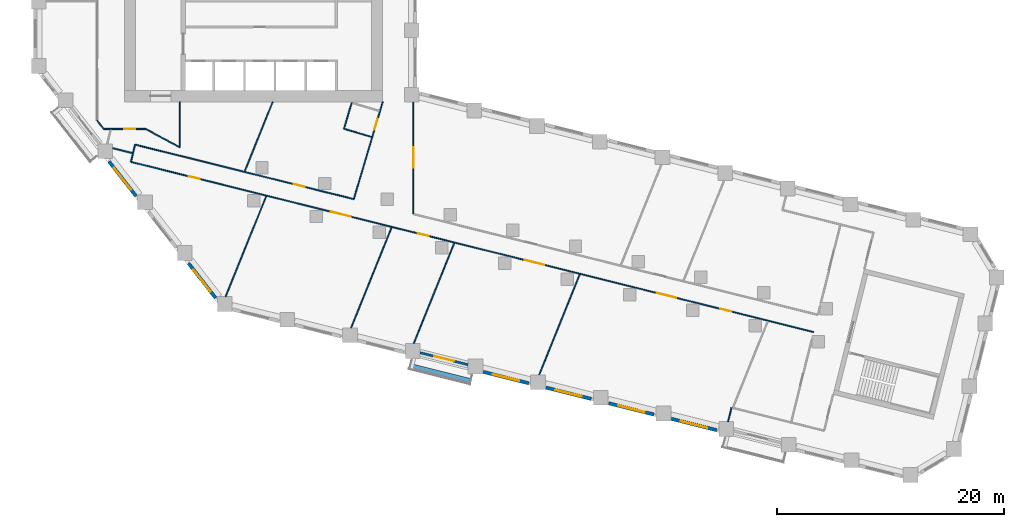
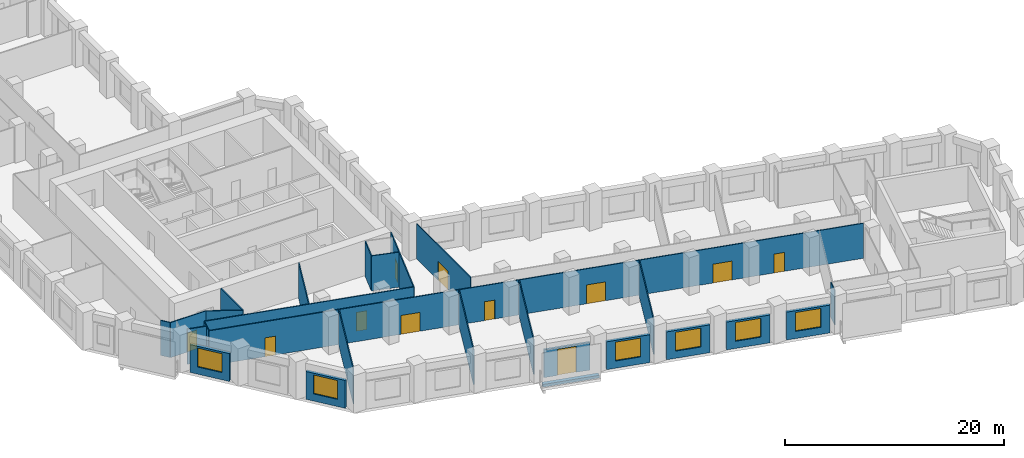
# One storey, part 3 of 10: 26 walls, 11 doors, 6 windows, 17 openings.
"""IFC4 building model written with IfcOpenShell, lengths in metres."""

from ifc_helpers import new_model, si_unit, direction, frame, frame_2d, origin, place, context, subcontext, project, spatial, rectangle, extrude, material, layer, layer_set, type_object, element, fill, save


model = new_model("IFC4")

# Units and contexts
model_context = context("Model", 3, precision=1e-05, world=origin(), true_north=direction((0.0, 1.0)))
body_context = subcontext(model_context, "Body", "Model", "MODEL_VIEW")
ifc_project = project(units=[si_unit("LENGTHUNIT", "METRE"), si_unit("AREAUNIT", "SQUARE_METRE"), si_unit("VOLUMEUNIT", "CUBIC_METRE"), si_unit("PLANEANGLEUNIT", "RADIAN"), si_unit("MASSUNIT", "GRAM", prefix="KILO")], contexts=[model_context])

# Site, building, storey
site_placement = place(None, origin())
site = spatial("IfcSite", under=ifc_project, at=site_placement, CompositionType="ELEMENT")
building_placement = place(site_placement, origin())
building = spatial("IfcBuilding", under=site, at=building_placement, Name="Meshkara Civic Tower", CompositionType="ELEMENT")
storey_placement = place(building_placement, frame((0.0, 0.0, 126.60009765625)))
storey = spatial("IfcBuildingStorey", under=building, at=storey_placement, Name="L28", CompositionType="ELEMENT", Elevation=126.60009765625)

# Wall
ifc_material_1 = material(Name="Corridor wall 100")
ifc_layer_1 = layer(ifc_material_1, 0.10009765625)
ifc_layer_set_1 = layer_set([ifc_layer_1], Name="Corridor wall 100")
wall_type_1 = type_object("IfcWallType", Name="Corridor wall 100", PredefinedType="PARTITIONING", material=ifc_layer_set_1)
wall_1_placement = place(storey_placement, frame((5.60009765625, 12.449951171875, 0.0), z_axis=(0.0, 0.0, 1.0), x_axis=(0.615644041972, -0.788024373725, 0.0)))
element("IfcWall", 1, at=wall_1_placement, inside=storey, type_object=wall_type_1, Name="L28-W004", PredefinedType="PARTITIONING", context=body_context, shape_type="SweptSolid", body=[
    extrude(rectangle(XDim=0.95166015625, YDim=0.10009765625, at=frame_2d((0.475830078125, 0.0))), origin(), (0.0, 0.0, 1.0), 3.89990234375),
])

# Wall, opening, door
wall_2_placement = place(storey_placement, frame((6.18603515625, 11.699951171875, 0.0), z_axis=(0.0, 0.0, 1.0), x_axis=(1.0, 0.0, 0.0)))
wall_2 = element("IfcWall", 2, at=wall_2_placement, inside=storey, type_object=wall_type_1, Name="L28-W006", PredefinedType="PARTITIONING", context=body_context, shape_type="SweptSolid", body=[
    extrude(rectangle(XDim=3.7138671875, YDim=0.10009765625, at=frame_2d((1.85693359375, 0.0))), origin(), (0.0, 0.0, 1.0), 3.89990234375),
])
opening_1_placement = place(wall_2_placement, frame((1.791015625, 0.0, 0.0)))
opening_1 = element("IfcOpeningElement", 3, at=opening_1_placement, cuts=wall_2, Name="Opening L28-D012", PredefinedType="OPENING", context=body_context, shape_type="SweptSolid", body=[
    extrude(rectangle(XDim=1.0, YDim=2.10009765625, at=frame_2d((0.5, 1.050048828125))), frame((0.0, 0.06005859375, 0.0), z_axis=(0.0, -1.0, 0.0), x_axis=(1.0, 0.0, 0.0)), (0.0, 0.0, 1.0), 0.1201171875),
])
ifc_material_2 = material(Name="Door 1000 x 2100")
door_type_1 = type_object("IfcDoorType", Name="Door 1000 x 2100", OperationType="SINGLE_SWING_LEFT", PredefinedType="DOOR", material=ifc_material_2)
door_1_placement = place(opening_1_placement, origin())
door_1 = element("IfcDoor", 4, at=door_1_placement, inside=storey, type_object=door_type_1, Name="L28-D012", OperationType="SINGLE_SWING_LEFT", OverallHeight=2.10009765625, OverallWidth=1.0, PredefinedType="DOOR", context=body_context, shape_type="SweptSolid", body=[
    extrude(rectangle(XDim=1.0, YDim=2.10009765625, at=frame_2d((0.5, 1.050048828125))), frame((0.0, 0.02490234375, 0.0), z_axis=(0.0, -1.0, 0.0), x_axis=(1.0, 0.0, 0.0)), (0.0, 0.0, 1.0), 0.050048828125),
])
fill(opening_1, door_1)

# Wall, openings, doors
wall_3_placement = place(storey_placement, frame((8.5791015625, 8.802978515625, 0.0), z_axis=(0.0, 0.0, 1.0), x_axis=(0.970297306393, -0.241915558008, 0.0)))
wall_3 = element("IfcWall", 5, at=wall_3_placement, inside=storey, type_object=wall_type_1, Name="L28-W008", PredefinedType="PARTITIONING", context=body_context, shape_type="SweptSolid", body=[
    extrude(rectangle(XDim=62.07568359375, YDim=0.10009765625, at=frame_2d((31.037841796875, 0.0))), origin(), (0.0, 0.0, 1.0), 3.89990234375),
])
opening_2_placement = place(wall_3_placement, frame((35.799072265625, 0.0, 0.0)))
opening_2 = element("IfcOpeningElement", 6, at=opening_2_placement, cuts=wall_3, Name="Opening L28-D003", PredefinedType="OPENING", context=body_context, shape_type="SweptSolid", body=[
    extrude(rectangle(XDim=1.800048828125, YDim=2.10009765625, at=frame_2d((0.89990234375, 1.050048828125))), frame((0.0, 0.06005859375, 0.0), z_axis=(0.0, -1.0, 0.0), x_axis=(1.0, 0.0, 0.0)), (0.0, 0.0, 1.0), 0.1201171875),
])
opening_3_placement = place(wall_3_placement, frame((47.799072265625, 0.0, 0.0)))
opening_3 = element("IfcOpeningElement", 7, at=opening_3_placement, cuts=wall_3, Name="Opening L28-D005", PredefinedType="OPENING", context=body_context, shape_type="SweptSolid", body=[
    extrude(rectangle(XDim=1.800048828125, YDim=2.10009765625, at=frame_2d((0.89990234375, 1.050048828125))), frame((0.0, 0.06005859375, 0.0), z_axis=(0.0, -1.0, 0.0), x_axis=(1.0, 0.0, 0.0)), (0.0, 0.0, 1.0), 0.1201171875),
])
opening_4_placement = place(wall_3_placement, frame((53.59912109375, 0.0, 0.0)))
opening_4 = element("IfcOpeningElement", 8, at=opening_4_placement, cuts=wall_3, Name="Opening L28-D006", PredefinedType="OPENING", context=body_context, shape_type="SweptSolid", body=[
    extrude(rectangle(XDim=1.0, YDim=2.10009765625, at=frame_2d((0.5, 1.050048828125))), frame((0.0, 0.06005859375, 0.0), z_axis=(0.0, -1.0, 0.0), x_axis=(1.0, 0.0, 0.0)), (0.0, 0.0, 1.0), 0.1201171875),
])
opening_5_placement = place(wall_3_placement, frame((18.199951171875, 0.0, 0.0)))
opening_5 = element("IfcOpeningElement", 9, at=opening_5_placement, cuts=wall_3, Name="Opening L28-D007", PredefinedType="OPENING", context=body_context, shape_type="SweptSolid", body=[
    extrude(rectangle(XDim=1.800048828125, YDim=2.10009765625, at=frame_2d((0.89990234375, 1.050048828125))), frame((0.0, 0.06005859375, 0.0), z_axis=(0.0, -1.0, 0.0), x_axis=(1.0, 0.0, 0.0)), (0.0, 0.0, 1.0), 0.1201171875),
])
opening_6_placement = place(wall_3_placement, frame((26.09912109375, 0.0, 0.0)))
opening_6 = element("IfcOpeningElement", 10, at=opening_6_placement, cuts=wall_3, Name="Opening L28-D008", PredefinedType="OPENING", context=body_context, shape_type="SweptSolid", body=[
    extrude(rectangle(XDim=1.0, YDim=2.10009765625, at=frame_2d((0.5, 1.050048828125))), frame((0.0, 0.06005859375, 0.0), z_axis=(0.0, -1.0, 0.0), x_axis=(1.0, 0.0, 0.0)), (0.0, 0.0, 1.0), 0.1201171875),
])
opening_7_placement = place(wall_3_placement, frame((5.280029296875, 0.0, 0.0)))
opening_7 = element("IfcOpeningElement", 11, at=opening_7_placement, cuts=wall_3, Name="Opening L28-D013", PredefinedType="OPENING", context=body_context, shape_type="SweptSolid", body=[
    extrude(rectangle(XDim=1.0, YDim=2.10009765625, at=frame_2d((0.5, 1.050048828125))), frame((0.0, 0.06005859375, 0.0), z_axis=(0.0, -1.0, 0.0), x_axis=(1.0, 0.0, 0.0)), (0.0, 0.0, 1.0), 0.1201171875),
])
door_2_placement = place(opening_4_placement, origin())
door_2 = element("IfcDoor", 12, at=door_2_placement, inside=storey, type_object=door_type_1, Name="L28-D006", OperationType="SINGLE_SWING_LEFT", OverallHeight=2.10009765625, OverallWidth=1.0, PredefinedType="DOOR", context=body_context, shape_type="SweptSolid", body=[
    extrude(rectangle(XDim=1.0, YDim=2.10009765625, at=frame_2d((0.5, 1.050048828125))), frame((0.0, 0.02490234375, 0.0), z_axis=(0.0, -1.0, 0.0), x_axis=(1.0, 0.0, 0.0)), (0.0, 0.0, 1.0), 0.050048828125),
])
fill(opening_4, door_2)
door_3_placement = place(opening_6_placement, origin())
door_3 = element("IfcDoor", 13, at=door_3_placement, inside=storey, type_object=door_type_1, Name="L28-D008", OperationType="SINGLE_SWING_LEFT", OverallHeight=2.10009765625, OverallWidth=1.0, PredefinedType="DOOR", context=body_context, shape_type="SweptSolid", body=[
    extrude(rectangle(XDim=1.0, YDim=2.10009765625, at=frame_2d((0.5, 1.050048828125))), frame((0.0, 0.02490234375, 0.0), z_axis=(0.0, -1.0, 0.0), x_axis=(1.0, 0.0, 0.0)), (0.0, 0.0, 1.0), 0.050048828125),
])
fill(opening_6, door_3)
door_4_placement = place(opening_7_placement, origin())
door_4 = element("IfcDoor", 14, at=door_4_placement, inside=storey, type_object=door_type_1, Name="L28-D013", OperationType="SINGLE_SWING_RIGHT", OverallHeight=2.10009765625, OverallWidth=1.0, PredefinedType="DOOR", context=body_context, shape_type="SweptSolid", body=[
    extrude(rectangle(XDim=1.0, YDim=2.10009765625, at=frame_2d((0.5, 1.050048828125))), frame((0.0, 0.02490234375, 0.0), z_axis=(0.0, -1.0, 0.0), x_axis=(1.0, 0.0, 0.0)), (0.0, 0.0, 1.0), 0.050048828125),
])
fill(opening_7, door_4)
ifc_material_3 = material(Name="Door pair 1800 x 2100")
door_type_2 = type_object("IfcDoorType", Name="Door pair 1800 x 2100", OperationType="SINGLE_SWING_LEFT", PredefinedType="DOOR", material=ifc_material_3)
door_5_placement = place(opening_2_placement, origin())
door_5 = element("IfcDoor", 15, at=door_5_placement, inside=storey, type_object=door_type_2, Name="L28-D003", OperationType="DOUBLE_DOOR_SINGLE_SWING", OverallHeight=2.10009765625, OverallWidth=1.800048828125, PredefinedType="DOOR", context=body_context, shape_type="SweptSolid", body=[
    extrude(rectangle(XDim=1.800048828125, YDim=2.10009765625, at=frame_2d((0.89990234375, 1.050048828125))), frame((0.0, 0.02490234375, 0.0), z_axis=(0.0, -1.0, 0.0), x_axis=(1.0, 0.0, 0.0)), (0.0, 0.0, 1.0), 0.050048828125),
])
fill(opening_2, door_5)
door_6_placement = place(opening_3_placement, origin())
door_6 = element("IfcDoor", 16, at=door_6_placement, inside=storey, type_object=door_type_2, Name="L28-D005", OperationType="DOUBLE_DOOR_SINGLE_SWING", OverallHeight=2.10009765625, OverallWidth=1.800048828125, PredefinedType="DOOR", context=body_context, shape_type="SweptSolid", body=[
    extrude(rectangle(XDim=1.800048828125, YDim=2.10009765625, at=frame_2d((0.89990234375, 1.050048828125))), frame((0.0, 0.02490234375, 0.0), z_axis=(0.0, -1.0, 0.0), x_axis=(1.0, 0.0, 0.0)), (0.0, 0.0, 1.0), 0.050048828125),
])
fill(opening_3, door_6)
door_7_placement = place(opening_5_placement, origin())
door_7 = element("IfcDoor", 17, at=door_7_placement, inside=storey, type_object=door_type_2, Name="L28-D007", OperationType="DOUBLE_DOOR_SINGLE_SWING", OverallHeight=2.10009765625, OverallWidth=1.800048828125, PredefinedType="DOOR", context=body_context, shape_type="SweptSolid", body=[
    extrude(rectangle(XDim=1.800048828125, YDim=2.10009765625, at=frame_2d((0.89990234375, 1.050048828125))), frame((0.0, 0.02490234375, 0.0), z_axis=(0.0, -1.0, 0.0), x_axis=(1.0, 0.0, 0.0)), (0.0, 0.0, 1.0), 0.050048828125),
])
fill(opening_5, door_7)

# Wall, opening, door
wall_4_placement = place(storey_placement, frame((8.9580078125, 10.322998046875, 0.0), z_axis=(0.0, 0.0, 1.0), x_axis=(0.970298340477, -0.241911410372, 0.0)))
wall_4 = element("IfcWall", 18, at=wall_4_placement, inside=storey, type_object=wall_type_1, Name="L28-W009", PredefinedType="PARTITIONING", context=body_context, shape_type="SweptSolid", body=[
    extrude(rectangle(XDim=19.879638671875, YDim=0.10009765625, at=frame_2d((9.93994140625, 0.0))), origin(), (0.0, 0.0, 1.0), 3.89990234375),
])
opening_8_placement = place(wall_4_placement, frame((14.4169921875, 0.0, 0.0)))
opening_8 = element("IfcOpeningElement", 19, at=opening_8_placement, cuts=wall_4, Name="Opening L28-D014", PredefinedType="OPENING", context=body_context, shape_type="SweptSolid", body=[
    extrude(rectangle(XDim=1.0, YDim=2.10009765625, at=frame_2d((0.5, 1.050048828125))), frame((0.0, 0.06005859375, 0.0), z_axis=(0.0, -1.0, 0.0), x_axis=(1.0, 0.0, 0.0)), (0.0, 0.0, 1.0), 0.1201171875),
])
door_8_placement = place(opening_8_placement, origin())
door_8 = element("IfcDoor", 20, at=door_8_placement, inside=storey, type_object=door_type_1, Name="L28-D014", OperationType="SINGLE_SWING_RIGHT", OverallHeight=2.10009765625, OverallWidth=1.0, PredefinedType="DOOR", context=body_context, shape_type="SweptSolid", body=[
    extrude(rectangle(XDim=1.0, YDim=2.10009765625, at=frame_2d((0.5, 1.050048828125))), frame((0.0, 0.02490234375, 0.0), z_axis=(0.0, -1.0, 0.0), x_axis=(1.0, 0.0, 0.0)), (0.0, 0.0, 1.0), 0.050048828125),
])
fill(opening_8, door_8)

# Walls
wall_5_placement = place(storey_placement, frame((8.9580078125, 10.322998046875, 0.0), z_axis=(0.0, 0.0, 1.0), x_axis=(-0.241875508386, -0.97030729073, 0.0)))
element("IfcWall", 21, at=wall_5_placement, inside=storey, type_object=wall_type_1, Name="L28-W010", PredefinedType="PARTITIONING", context=body_context, shape_type="SweptSolid", body=[
    extrude(rectangle(XDim=1.566650390625, YDim=0.10009765625, at=frame_2d((0.783203125, 0.0))), origin(), (0.0, 0.0, 1.0), 3.89990234375),
])
wall_6_placement = place(storey_placement, frame((9.89990234375, 11.699951171875, 0.0), z_axis=(0.0, 0.0, 1.0), x_axis=(0.87965147249, -0.475618846291, 0.0)))
element("IfcWall", 22, at=wall_6_placement, inside=storey, type_object=wall_type_1, Name="L28-W011", PredefinedType="PARTITIONING", context=body_context, shape_type="SweptSolid", body=[
    extrude(rectangle(XDim=3.410400390625, YDim=0.10009765625, at=frame_2d((1.705078125, 0.0))), origin(), (0.0, 0.0, 1.0), 3.89990234375),
])
wall_7_placement = place(storey_placement, frame((12.89990234375, 10.077880859375, 0.0), z_axis=(0.0, 0.0, 1.0), x_axis=(0.0, 1.0, 0.0)))
element("IfcWall", 23, at=wall_7_placement, inside=storey, type_object=wall_type_1, Name="L28-W016", PredefinedType="PARTITIONING", context=body_context, shape_type="SweptSolid", body=[
    extrude(rectangle(XDim=4.022216796875, YDim=0.10009765625, at=frame_2d((2.01123046875, 0.0))), origin(), (0.0, 0.0, 1.0), 3.89990234375),
])

# Wall, opening, door
wall_8_placement = place(storey_placement, frame((28.2470703125, 5.513916015625, 0.0), z_axis=(0.0, 0.0, 1.0), x_axis=(0.285004107837, 0.958526295162, 0.0)))
wall_8 = element("IfcWall", 24, at=wall_8_placement, inside=storey, type_object=wall_type_1, Name="L28-W020", PredefinedType="PARTITIONING", context=body_context, shape_type="SweptSolid", body=[
    extrude(rectangle(XDim=8.957763671875, YDim=0.10009765625, at=frame_2d((4.47900390625, 0.0))), origin(), (0.0, 0.0, 1.0), 3.89990234375),
])
opening_9_placement = place(wall_8_placement, frame((6.3798828125, 0.0, 0.0)))
opening_9 = element("IfcOpeningElement", 25, at=opening_9_placement, cuts=wall_8, Name="Opening L28-D017", PredefinedType="OPENING", context=body_context, shape_type="SweptSolid", body=[
    extrude(rectangle(XDim=1.0, YDim=2.10009765625, at=frame_2d((0.5, 1.050048828125))), frame((0.0, 0.06005859375, 0.0), z_axis=(0.0, -1.0, 0.0), x_axis=(1.0, 0.0, 0.0)), (0.0, 0.0, 1.0), 0.1201171875),
])
door_9_placement = place(opening_9_placement, origin())
door_9 = element("IfcDoor", 26, at=door_9_placement, inside=storey, type_object=door_type_1, Name="L28-D017", OperationType="SINGLE_SWING_LEFT", OverallHeight=2.10009765625, OverallWidth=1.0, PredefinedType="DOOR", context=body_context, shape_type="SweptSolid", body=[
    extrude(rectangle(XDim=1.0, YDim=2.10009765625, at=frame_2d((0.5, 1.050048828125))), frame((0.0, 0.02490234375, 0.0), z_axis=(0.0, -1.0, 0.0), x_axis=(1.0, 0.0, 0.0)), (0.0, 0.0, 1.0), 0.050048828125),
])
fill(opening_9, door_9)

wall_9_placement = place(storey_placement, frame((33.5, 4.2041015625, 0.0), z_axis=(0.0, 0.0, 1.0), x_axis=(0.0, 1.0, 0.0)))
wall_9 = element("IfcWall", 27, at=wall_9_placement, inside=storey, type_object=wall_type_1, Name="L28-W023", PredefinedType="PARTITIONING", context=body_context, shape_type="SweptSolid", body=[
    extrude(rectangle(XDim=9.864990234375, YDim=0.10009765625, at=frame_2d((4.9326171875, 0.0))), origin(), (0.0, 0.0, 1.0), 3.89990234375),
])
opening_10_placement = place(wall_9_placement, frame((4.080078125, 0.0, 0.0)))
opening_10 = element("IfcOpeningElement", 28, at=opening_10_placement, cuts=wall_9, Name="Opening L28-D015", PredefinedType="OPENING", context=body_context, shape_type="SweptSolid", body=[
    extrude(rectangle(XDim=1.800048828125, YDim=2.10009765625, at=frame_2d((0.89990234375, 1.050048828125))), frame((0.0, 0.06005859375, 0.0), z_axis=(0.0, -1.0, 0.0), x_axis=(1.0, 0.0, 0.0)), (0.0, 0.0, 1.0), 0.1201171875),
])
door_10_placement = place(opening_10_placement, origin())
door_10 = element("IfcDoor", 29, at=door_10_placement, inside=storey, type_object=door_type_2, Name="L28-D015", OperationType="DOUBLE_DOOR_SINGLE_SWING", OverallHeight=2.10009765625, OverallWidth=1.800048828125, PredefinedType="DOOR", context=body_context, shape_type="SweptSolid", body=[
    extrude(rectangle(XDim=1.800048828125, YDim=2.10009765625, at=frame_2d((0.89990234375, 1.050048828125))), frame((0.0, 0.02490234375, 0.0), z_axis=(0.0, -1.0, 0.0), x_axis=(1.0, 0.0, 0.0)), (0.0, 0.0, 1.0), 0.050048828125),
])
fill(opening_10, door_10)

# Wall, opening, window
ifc_material_4 = material(Name="Insulated infill panel with bronze anodised aluminium cladding", Category="aluminium")
ifc_layer_2 = layer(ifc_material_4, 0.300048828125)
ifc_layer_set_2 = layer_set([ifc_layer_2], Name="EXTERNAL INFILL WALL 300")
wall_type_2 = type_object("IfcWallType", Name="EXTERNAL INFILL WALL 300", PredefinedType="SOLIDWALL", material=ifc_layer_set_2)
wall_10_placement = place(storey_placement, frame((6.64892578125, 8.833984375, 0.0), z_axis=(0.0, 0.0, 1.0), x_axis=(0.615535257281, -0.788109349674, 0.0)))
wall_10 = element("IfcWall", 30, at=wall_10_placement, inside=storey, type_object=wall_type_2, Name="External wall", PredefinedType="SOLIDWALL", context=body_context, shape_type="SweptSolid", body=[
    extrude(rectangle(XDim=3.876220703125, YDim=0.300048828125, at=frame_2d((1.93798828125, 0.0))), origin(), (0.0, 0.0, 1.0), 3.099853515625),
])
opening_11_placement = place(wall_10_placement, frame((0.738037109375, 0.0, 0.800048828125)))
opening_11 = element("IfcOpeningElement", 31, at=opening_11_placement, cuts=wall_10, Name="Opening W7", PredefinedType="OPENING", context=body_context, shape_type="SweptSolid", body=[
    extrude(rectangle(XDim=2.39990234375, YDim=2.10009765625, at=frame_2d((1.199951171875, 1.050048828125))), frame((0.0, 0.159912109375, 0.0), z_axis=(0.0, -1.0, 0.0), x_axis=(1.0, 0.0, 0.0)), (0.0, 0.0, 1.0), 0.320068359375),
])
ifc_material_5 = material(Name="Tinted double glazing", Category="glass")
window_type = type_object("IfcWindowType", Name="WINDOW 2400x2100", PartitioningType="DOUBLE_PANEL_VERTICAL", PredefinedType="WINDOW", material=ifc_material_5)
window_1_placement = place(opening_11_placement, origin())
window_1 = element("IfcWindow", 32, at=window_1_placement, inside=storey, type_object=window_type, Name="Window", OverallHeight=2.10009765625, OverallWidth=2.39990234375, PartitioningType="DOUBLE_PANEL_VERTICAL", PredefinedType="WINDOW", context=body_context, shape_type="SweptSolid", body=[
    extrude(rectangle(XDim=2.39990234375, YDim=2.10009765625, at=frame_2d((1.199951171875, 1.050048828125))), frame((0.0, 0.030029296875, 0.0), z_axis=(0.0, -1.0, 0.0), x_axis=(1.0, 0.0, 0.0)), (0.0, 0.0, 1.0), 0.06005859375),
])
fill(opening_11, window_1)

wall_11_placement = place(storey_placement, frame((13.6669921875, -0.14990234375, 0.0), z_axis=(0.0, 0.0, 1.0), x_axis=(0.615626928003, -0.788037743714, 0.0)))
wall_11 = element("IfcWall", 33, at=wall_11_placement, inside=storey, type_object=wall_type_2, Name="External wall", PredefinedType="SOLIDWALL", context=body_context, shape_type="SweptSolid", body=[
    extrude(rectangle(XDim=3.875732421875, YDim=0.300048828125, at=frame_2d((1.93798828125, 0.0))), origin(), (0.0, 0.0, 1.0), 3.099853515625),
])
opening_12_placement = place(wall_11_placement, frame((0.738037109375, 0.0, 0.800048828125)))
opening_12 = element("IfcOpeningElement", 34, at=opening_12_placement, cuts=wall_11, Name="Opening W7", PredefinedType="OPENING", context=body_context, shape_type="SweptSolid", body=[
    extrude(rectangle(XDim=2.39990234375, YDim=2.10009765625, at=frame_2d((1.199951171875, 1.050048828125))), frame((0.0, 0.159912109375, 0.0), z_axis=(0.0, -1.0, 0.0), x_axis=(1.0, 0.0, 0.0)), (0.0, 0.0, 1.0), 0.320068359375),
])
window_2_placement = place(opening_12_placement, origin())
window_2 = element("IfcWindow", 35, at=window_2_placement, inside=storey, type_object=window_type, Name="Window", OverallHeight=2.10009765625, OverallWidth=2.39990234375, PartitioningType="DOUBLE_PANEL_VERTICAL", PredefinedType="WINDOW", context=body_context, shape_type="SweptSolid", body=[
    extrude(rectangle(XDim=2.39990234375, YDim=2.10009765625, at=frame_2d((1.199951171875, 1.050048828125))), frame((0.0, 0.030029296875, 0.0), z_axis=(0.0, -1.0, 0.0), x_axis=(1.0, 0.0, 0.0)), (0.0, 0.0, 1.0), 0.06005859375),
])
fill(opening_12, window_2)

wall_12_placement = place(storey_placement, frame((39.666015625, -9.735107421875, 0.0), z_axis=(0.0, 0.0, 1.0), x_axis=(0.97029551261, -0.241922752565, 0.0)))
wall_12 = element("IfcWall", 36, at=wall_12_placement, inside=storey, type_object=wall_type_2, Name="External wall", PredefinedType="SOLIDWALL", context=body_context, shape_type="SweptSolid", body=[
    extrude(rectangle(XDim=4.12451171875, YDim=0.300048828125, at=frame_2d((2.062255859375, 0.0))), origin(), (0.0, 0.0, 1.0), 3.099853515625),
])
opening_13_placement = place(wall_12_placement, frame((0.862060546875, 0.0, 0.800048828125)))
opening_13 = element("IfcOpeningElement", 37, at=opening_13_placement, cuts=wall_12, Name="Opening W7", PredefinedType="OPENING", context=body_context, shape_type="SweptSolid", body=[
    extrude(rectangle(XDim=2.39990234375, YDim=2.10009765625, at=frame_2d((1.199951171875, 1.050048828125))), frame((0.0, 0.159912109375, 0.0), z_axis=(0.0, -1.0, 0.0), x_axis=(1.0, 0.0, 0.0)), (0.0, 0.0, 1.0), 0.320068359375),
])
window_3_placement = place(opening_13_placement, origin())
window_3 = element("IfcWindow", 38, at=window_3_placement, inside=storey, type_object=window_type, Name="Window", OverallHeight=2.10009765625, OverallWidth=2.39990234375, PartitioningType="DOUBLE_PANEL_VERTICAL", PredefinedType="WINDOW", context=body_context, shape_type="SweptSolid", body=[
    extrude(rectangle(XDim=2.39990234375, YDim=2.10009765625, at=frame_2d((1.199951171875, 1.050048828125))), frame((0.0, 0.030029296875, 0.0), z_axis=(0.0, -1.0, 0.0), x_axis=(1.0, 0.0, 0.0)), (0.0, 0.0, 1.0), 0.06005859375),
])
fill(opening_13, window_3)

wall_13_placement = place(storey_placement, frame((45.197021484375, -11.114013671875, 0.0), z_axis=(0.0, 0.0, 1.0), x_axis=(0.970267747908, -0.242034083076, 0.0)))
wall_13 = element("IfcWall", 39, at=wall_13_placement, inside=storey, type_object=wall_type_2, Name="External wall", PredefinedType="SOLIDWALL", context=body_context, shape_type="SweptSolid", body=[
    extrude(rectangle(XDim=4.12353515625, YDim=0.300048828125, at=frame_2d((2.061767578125, 0.0))), origin(), (0.0, 0.0, 1.0), 3.099853515625),
])
opening_14_placement = place(wall_13_placement, frame((0.862060546875, 0.0, 0.800048828125)))
opening_14 = element("IfcOpeningElement", 40, at=opening_14_placement, cuts=wall_13, Name="Opening W7", PredefinedType="OPENING", context=body_context, shape_type="SweptSolid", body=[
    extrude(rectangle(XDim=2.39990234375, YDim=2.10009765625, at=frame_2d((1.199951171875, 1.050048828125))), frame((0.0, 0.159912109375, 0.0), z_axis=(0.0, -1.0, 0.0), x_axis=(1.0, 0.0, 0.0)), (0.0, 0.0, 1.0), 0.320068359375),
])
window_4_placement = place(opening_14_placement, origin())
window_4 = element("IfcWindow", 41, at=window_4_placement, inside=storey, type_object=window_type, Name="Window", OverallHeight=2.10009765625, OverallWidth=2.39990234375, PartitioningType="DOUBLE_PANEL_VERTICAL", PredefinedType="WINDOW", context=body_context, shape_type="SweptSolid", body=[
    extrude(rectangle(XDim=2.39990234375, YDim=2.10009765625, at=frame_2d((1.199951171875, 1.050048828125))), frame((0.0, 0.030029296875, 0.0), z_axis=(0.0, -1.0, 0.0), x_axis=(1.0, 0.0, 0.0)), (0.0, 0.0, 1.0), 0.06005859375),
])
fill(opening_14, window_4)

wall_14_placement = place(storey_placement, frame((50.72705078125, -12.492919921875, 0.0), z_axis=(0.0, 0.0, 1.0), x_axis=(0.970281616392, -0.241978480223, 0.0)))
wall_14 = element("IfcWall", 42, at=wall_14_placement, inside=storey, type_object=wall_type_2, Name="External wall", PredefinedType="SOLIDWALL", context=body_context, shape_type="SweptSolid", body=[
    extrude(rectangle(XDim=4.12451171875, YDim=0.300048828125, at=frame_2d((2.062255859375, 0.0))), origin(), (0.0, 0.0, 1.0), 3.099853515625),
])
opening_15_placement = place(wall_14_placement, frame((0.862060546875, 0.0, 0.800048828125)))
opening_15 = element("IfcOpeningElement", 43, at=opening_15_placement, cuts=wall_14, Name="Opening W7", PredefinedType="OPENING", context=body_context, shape_type="SweptSolid", body=[
    extrude(rectangle(XDim=2.39990234375, YDim=2.10009765625, at=frame_2d((1.199951171875, 1.050048828125))), frame((0.0, 0.159912109375, 0.0), z_axis=(0.0, -1.0, 0.0), x_axis=(1.0, 0.0, 0.0)), (0.0, 0.0, 1.0), 0.320068359375),
])
window_5_placement = place(opening_15_placement, origin())
window_5 = element("IfcWindow", 44, at=window_5_placement, inside=storey, type_object=window_type, Name="Window", OverallHeight=2.10009765625, OverallWidth=2.39990234375, PartitioningType="DOUBLE_PANEL_VERTICAL", PredefinedType="WINDOW", context=body_context, shape_type="SweptSolid", body=[
    extrude(rectangle(XDim=2.39990234375, YDim=2.10009765625, at=frame_2d((1.199951171875, 1.050048828125))), frame((0.0, 0.030029296875, 0.0), z_axis=(0.0, -1.0, 0.0), x_axis=(1.0, 0.0, 0.0)), (0.0, 0.0, 1.0), 0.06005859375),
])
fill(opening_15, window_5)

wall_15_placement = place(storey_placement, frame((56.258056640625, -13.8720703125, 0.0), z_axis=(0.0, 0.0, 1.0), x_axis=(0.970281616392, -0.241978480223, 0.0)))
wall_15 = element("IfcWall", 45, at=wall_15_placement, inside=storey, type_object=wall_type_2, Name="External wall", PredefinedType="SOLIDWALL", context=body_context, shape_type="SweptSolid", body=[
    extrude(rectangle(XDim=4.12451171875, YDim=0.300048828125, at=frame_2d((2.062255859375, 0.0))), origin(), (0.0, 0.0, 1.0), 3.099853515625),
])
opening_16_placement = place(wall_15_placement, frame((0.862060546875, 0.0, 0.800048828125)))
opening_16 = element("IfcOpeningElement", 46, at=opening_16_placement, cuts=wall_15, Name="Opening W7", PredefinedType="OPENING", context=body_context, shape_type="SweptSolid", body=[
    extrude(rectangle(XDim=2.39990234375, YDim=2.10009765625, at=frame_2d((1.199951171875, 1.050048828125))), frame((0.0, 0.159912109375, 0.0), z_axis=(0.0, -1.0, 0.0), x_axis=(1.0, 0.0, 0.0)), (0.0, 0.0, 1.0), 0.320068359375),
])
window_6_placement = place(opening_16_placement, origin())
window_6 = element("IfcWindow", 47, at=window_6_placement, inside=storey, type_object=window_type, Name="Window", OverallHeight=2.10009765625, OverallWidth=2.39990234375, PartitioningType="DOUBLE_PANEL_VERTICAL", PredefinedType="WINDOW", context=body_context, shape_type="SweptSolid", body=[
    extrude(rectangle(XDim=2.39990234375, YDim=2.10009765625, at=frame_2d((1.199951171875, 1.050048828125))), frame((0.0, 0.030029296875, 0.0), z_axis=(0.0, -1.0, 0.0), x_axis=(1.0, 0.0, 0.0)), (0.0, 0.0, 1.0), 0.06005859375),
])
fill(opening_16, window_6)

# Wall, opening, door
ifc_material_6 = material(Name="Insulated infill panel with bronze anodised aluminium cladding", Category="aluminium")
ifc_layer_3 = layer(ifc_material_6, 0.199951171875)
ifc_layer_set_3 = layer_set([ifc_layer_3], Name="LOGGIA BACK WALL 200")
wall_type_3 = type_object("IfcWallType", Name="LOGGIA BACK WALL 200", PredefinedType="SOLIDWALL", material=ifc_layer_set_3)
wall_16_placement = place(storey_placement, frame((34.093017578125, -8.037109375, 0.0), z_axis=(0.0, 0.0, 1.0), x_axis=(0.970346363444, -0.241718710386, 0.0)))
wall_16 = element("IfcWall", 48, at=wall_16_placement, inside=storey, type_object=wall_type_3, Name="Loggia wall", PredefinedType="SOLIDWALL", context=body_context, shape_type="SweptSolid", body=[
    extrude(rectangle(XDim=4.3603515625, YDim=0.199951171875, at=frame_2d((2.18017578125, 0.0))), origin(), (0.0, 0.0, 1.0), 3.099853515625),
])
opening_17_placement = place(wall_16_placement, frame((1.280029296875, 0.0, 0.0)))
opening_17 = element("IfcOpeningElement", 49, at=opening_17_placement, cuts=wall_16, Name="Opening L28-L004", PredefinedType="OPENING", context=body_context, shape_type="SweptSolid", body=[
    extrude(rectangle(XDim=1.800048828125, YDim=2.89990234375, at=frame_2d((0.89990234375, 1.449951171875))), frame((0.0, 0.10986328125, 0.0), z_axis=(0.0, -1.0, 0.0), x_axis=(1.0, 0.0, 0.0)), (0.0, 0.0, 1.0), 0.219970703125),
])
ifc_material_7 = material(Name="Tinted double glazing", Category="glass")
door_type_3 = type_object("IfcDoorType", Name="LOGGIA DOOR 1800x2900", OperationType="DOUBLE_DOOR_SINGLE_SWING", PredefinedType="DOOR", material=ifc_material_7)
door_11_placement = place(opening_17_placement, origin())
door_11 = element("IfcDoor", 50, at=door_11_placement, inside=storey, type_object=door_type_3, Name="L28-L004", OperationType="DOUBLE_DOOR_SINGLE_SWING", OverallHeight=2.89990234375, OverallWidth=1.800048828125, PredefinedType="DOOR", context=body_context, shape_type="SweptSolid", body=[
    extrude(rectangle(XDim=1.800048828125, YDim=2.89990234375, at=frame_2d((0.89990234375, 1.449951171875))), frame((0.0, 0.02490234375, 0.0), z_axis=(0.0, -1.0, 0.0), x_axis=(1.0, 0.0, 0.0)), (0.0, 0.0, 1.0), 0.050048828125),
])
fill(opening_17, door_11)

# Walls
ifc_material_8 = material(Name="Concrete C40", Category="concrete")
ifc_layer_4 = layer(ifc_material_8, 0.39990234375)
ifc_layer_set_4 = layer_set([ifc_layer_4], Name="PLANTER TRAY")
wall_type_4 = type_object("IfcWallType", Name="PLANTER TRAY", PredefinedType="SOLIDWALL", material=ifc_layer_set_4)
wall_17_placement = place(storey_placement, frame((33.285888671875, -9.2060546875, 0.0), z_axis=(0.0, 0.0, 1.0), x_axis=(0.970292345375, -0.241935455249, 0.0)))
element("IfcWall", 51, at=wall_17_placement, inside=storey, type_object=wall_type_4, Name="Planter", PredefinedType="SOLIDWALL", context=body_context, shape_type="SweptSolid", body=[
    extrude(rectangle(XDim=5.3603515625, YDim=0.39990234375, at=frame_2d((2.68017578125, 0.0))), origin(), (0.0, 0.0, 1.0), 0.2998046875),
])
ifc_material_9 = material(Name="Partition 100")
ifc_layer_5 = layer(ifc_material_9, 0.10009765625)
ifc_layer_set_5 = layer_set([ifc_layer_5], Name="Partition 100")
wall_type_5 = type_object("IfcWallType", Name="Partition 100", PredefinedType="PARTITIONING", material=ifc_layer_set_5)
wall_18_placement = place(storey_placement, frame((8.718994140625, 9.574951171875, 0.0), z_axis=(0.0, 0.0, 1.0), x_axis=(-0.970333736057, 0.241769395645, 0.0)))
element("IfcWall", 52, at=wall_18_placement, inside=storey, type_object=wall_type_5, Name="L28-W036", PredefinedType="PARTITIONING", context=body_context, shape_type="SweptSolid", body=[
    extrude(rectangle(XDim=1.799560546875, YDim=0.10009765625, at=frame_2d((0.89990234375, 0.0))), origin(), (0.0, 0.0, 1.0), 3.89990234375),
])
wall_19_placement = place(storey_placement, frame((16.94189453125, -3.087890625, 0.0), z_axis=(0.0, 0.0, 1.0), x_axis=(0.374526444387, 0.927216232847, 0.0)))
element("IfcWall", 53, at=wall_19_placement, inside=storey, type_object=wall_type_5, Name="L28-W038", PredefinedType="PARTITIONING", context=body_context, shape_type="SweptSolid", body=[
    extrude(rectangle(XDim=9.551025390625, YDim=0.10009765625, at=frame_2d((4.775390625, 0.0))), origin(), (0.0, 0.0, 1.0), 3.89990234375),
])
wall_20_placement = place(storey_placement, frame((18.6220703125, 7.971923828125, 0.0), z_axis=(0.0, 0.0, 1.0), x_axis=(0.374464881939, 0.927241097123, 0.0)))
element("IfcWall", 54, at=wall_20_placement, inside=storey, type_object=wall_type_5, Name="L28-W039", PredefinedType="PARTITIONING", context=body_context, shape_type="SweptSolid", body=[
    extrude(rectangle(XDim=6.609130859375, YDim=0.10009765625, at=frame_2d((3.3046875, 0.0))), origin(), (0.0, 0.0, 1.0), 3.89990234375),
])
wall_21_placement = place(storey_placement, frame((27.37890625, 11.718017578125, 0.0), z_axis=(0.0, 0.0, 1.0), x_axis=(0.284967742607, 0.958537107093, 0.0)))
element("IfcWall", 55, at=wall_21_placement, inside=storey, type_object=wall_type_5, Name="L28-W043", PredefinedType="PARTITIONING", context=body_context, shape_type="SweptSolid", body=[
    extrude(rectangle(XDim=2.400634765625, YDim=0.10009765625, at=frame_2d((1.2001953125, 0.0))), origin(), (0.0, 0.0, 1.0), 3.89990234375),
])
wall_22_placement = place(storey_placement, frame((28.001953125, -5.845947265625, 0.0), z_axis=(0.0, 0.0, 1.0), x_axis=(0.374614343131, 0.927180723441, 0.0)))
element("IfcWall", 56, at=wall_22_placement, inside=storey, type_object=wall_type_5, Name="L28-W044", PredefinedType="PARTITIONING", context=body_context, shape_type="SweptSolid", body=[
    extrude(rectangle(XDim=9.551513671875, YDim=0.10009765625, at=frame_2d((4.77587890625, 0.0))), origin(), (0.0, 0.0, 1.0), 3.89990234375),
])
wall_23_placement = place(storey_placement, frame((29.823974609375, 10.990966796875, 0.0), z_axis=(0.0, 0.0, 1.0), x_axis=(-0.958521516937, 0.285020177478, 0.0)))
element("IfcWall", 57, at=wall_23_placement, inside=storey, type_object=wall_type_5, Name="L28-W046", PredefinedType="PARTITIONING", context=body_context, shape_type="SweptSolid", body=[
    extrude(rectangle(XDim=2.55078125, YDim=0.10009765625, at=frame_2d((1.275390625, 0.0))), origin(), (0.0, 0.0, 1.0), 3.89990234375),
])
wall_24_placement = place(storey_placement, frame((33.532958984375, -7.22509765625, 0.0), z_axis=(0.0, 0.0, 1.0), x_axis=(0.374605465271, 0.927184310366, 0.0)))
element("IfcWall", 58, at=wall_24_placement, inside=storey, type_object=wall_type_5, Name="L28-W047", PredefinedType="PARTITIONING", context=body_context, shape_type="SweptSolid", body=[
    extrude(rectangle(XDim=9.5517578125, YDim=0.10009765625, at=frame_2d((4.77587890625, 0.0))), origin(), (0.0, 0.0, 1.0), 3.89990234375),
])
wall_25_placement = place(storey_placement, frame((44.594970703125, -9.98193359375, 0.0), z_axis=(0.0, 0.0, 1.0), x_axis=(0.374561954078, 0.92720188878, 0.0)))
element("IfcWall", 59, at=wall_25_placement, inside=storey, type_object=wall_type_5, Name="L28-W048", PredefinedType="PARTITIONING", context=body_context, shape_type="SweptSolid", body=[
    extrude(rectangle(XDim=9.55029296875, YDim=0.10009765625, at=frame_2d((4.775146484375, 0.0))), origin(), (0.0, 0.0, 1.0), 3.89990234375),
])
wall_26_placement = place(storey_placement, frame((61.259033203125, -14.118896484375, 0.0), z_axis=(0.0, 0.0, 1.0), x_axis=(0.242221476086, 0.970220983345, 0.0)))
element("IfcWall", 60, at=wall_26_placement, inside=storey, type_object=wall_type_5, Name="L28-W051", PredefinedType="PARTITIONING", context=body_context, shape_type="SweptSolid", body=[
    extrude(rectangle(XDim=1.280029296875, YDim=0.10009765625, at=frame_2d((0.64013671875, 0.0))), origin(), (0.0, 0.0, 1.0), 3.89990234375),
])

save(model, "model.ifc")
